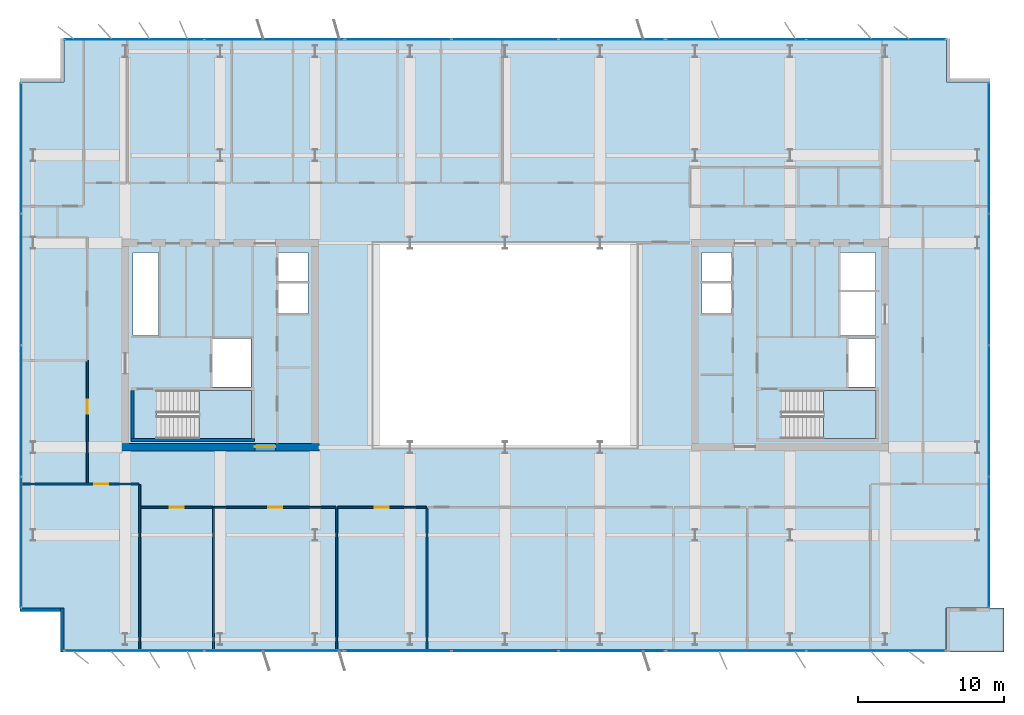
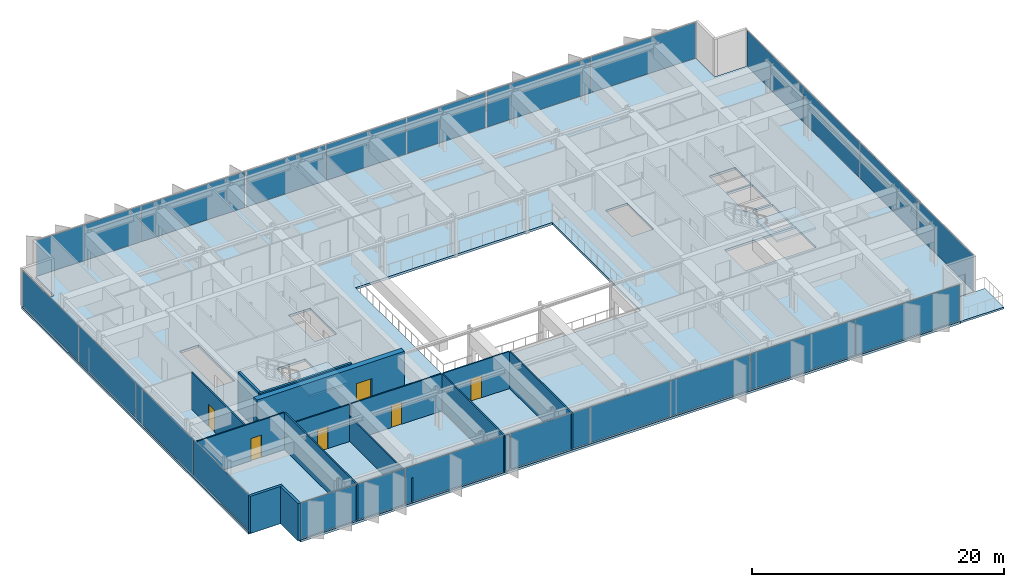
# One storey, part 16 of 24: 22 plates, 14 walls, 6 doors, 4 slabs, 6 openings, 10 elements without a shape of their own.
"""IFC4 building model written with IfcOpenShell, lengths in metres."""

from ifc_helpers import new_model, si_unit, direction, frame, frame_2d, origin, origin_2d, place, context, subcontext, project, spatial, polyline, rectangle, outline, extrude, material, layer, layer_set, type_object, element, fill, aggregate, save


model = new_model("IFC4")

# Units and contexts
model_context = context("Model", 3, precision=1e-05, world=origin(), true_north=direction((0.0, 1.0)))
body_context = subcontext(model_context, "Body", "Model", "MODEL_VIEW")
ifc_project = project(units=[si_unit("LENGTHUNIT", "METRE"), si_unit("AREAUNIT", "SQUARE_METRE"), si_unit("VOLUMEUNIT", "CUBIC_METRE"), si_unit("PLANEANGLEUNIT", "RADIAN"), si_unit("MASSUNIT", "GRAM", prefix="KILO")], contexts=[model_context])

# Site, building, storey
site_placement = place(None, origin())
site = spatial("IfcSite", under=ifc_project, at=site_placement, CompositionType="ELEMENT")
building_placement = place(site_placement, origin())
building = spatial("IfcBuilding", under=site, at=building_placement, Name="Putna Gate Headquarters", CompositionType="ELEMENT")
storey_placement = place(building_placement, frame((0.0, 0.0, 251.800048828125)))
storey = spatial("IfcBuildingStorey", under=building, at=storey_placement, Name="L63", CompositionType="ELEMENT", Elevation=251.800048828125)

# Stair, slab
ifc_material_1 = material(Name="Concrete C40/50", Category="concrete")
stair_type_1 = type_object("IfcStairType", Name="STAIR-ST1", PredefinedType="HALF_TURN_STAIR", material=ifc_material_1)
stair_1_placement = place(storey_placement, origin())
stair_1 = element("IfcStair", 1, at=stair_1_placement, inside=storey, type_object=stair_type_1, Name="L63 West Core Exit Stair ST1", PredefinedType="HALF_TURN_STAIR")
ifc_layer_1 = layer(ifc_material_1, 0.199951171875)
ifc_layer_set_1 = layer_set([ifc_layer_1], Name="Concrete C40/50")
slab_type_1 = type_object("IfcSlabType", Name="LANDING-ST1", PredefinedType="LANDING", material=ifc_layer_set_1)
slab_1_placement = place(storey_placement, frame((0.0, 0.0, 1.699951171875)))
slab_1 = element("IfcSlab", 2, at=slab_1_placement, type_object=slab_type_1, Name="ST1 landing 1", PredefinedType="LANDING", context=body_context, shape_type="SweptSolid", body=[
    extrude(outline(polyline([(18.050048828125, 19.60009765625), (21.64990234375, 19.60009765625), (21.64990234375, 22.89990234375), (18.050048828125, 22.89990234375), (18.050048828125, 19.60009765625)])), origin(), (0.0, 0.0, 1.0), 0.199951171875),
])
aggregate(stair_1, [slab_1])

stair_type_2 = type_object("IfcStairType", Name="STAIR-ST2", PredefinedType="HALF_TURN_STAIR", material=ifc_material_1)
stair_2_placement = place(storey_placement, origin())
stair_2 = element("IfcStair", 3, at=stair_2_placement, inside=storey, type_object=stair_type_2, Name="L63 East Core Exit Stair ST2", PredefinedType="HALF_TURN_STAIR")
ifc_layer_2 = layer(ifc_material_1, 0.199951171875)
ifc_layer_set_2 = layer_set([ifc_layer_2], Name="Concrete C40/50")
slab_type_2 = type_object("IfcSlabType", Name="LANDING-ST2", PredefinedType="LANDING", material=ifc_layer_set_2)
slab_2_placement = place(storey_placement, frame((0.0, 0.0, 1.699951171875)))
slab_2 = element("IfcSlab", 4, at=slab_2_placement, type_object=slab_type_2, Name="ST2 landing 1", PredefinedType="LANDING", context=body_context, shape_type="SweptSolid", body=[
    extrude(outline(polyline([(60.800048828125, 19.60009765625), (64.39990234375, 19.60009765625), (64.39990234375, 22.89990234375), (60.800048828125, 22.89990234375), (60.800048828125, 19.60009765625)])), origin(), (0.0, 0.0, 1.0), 0.199951171875),
])
aggregate(stair_2, [slab_2])

# Curtain wall, plates
ifc_material_2 = material(Name="Anodised bronze aluminium curtain wall", Category="aluminium")
ifc_layer_3 = layer(ifc_material_2, 0.139892578125)
ifc_layer_set_3 = layer_set([ifc_layer_3], Name="Anodised bronze aluminium curtain wall")
curtain_wall_type_1 = type_object("IfcCurtainWallType", Name="CW-SYS-Z4", PredefinedType="USERDEFINED", material=ifc_layer_set_3)
curtain_wall_1_placement = place(storey_placement, origin())
curtain_wall_1 = element("IfcCurtainWall", 5, at=curtain_wall_1_placement, inside=storey, type_object=curtain_wall_type_1, Name="L63 South West Curtain Wall", ObjectType="STICK CURTAIN WALL", PredefinedType="USERDEFINED")
ifc_material_3 = material(Name="Solar-control triple low-E glass", Category="glass")
ifc_layer_4 = layer(ifc_material_3, 0.02587890625)
ifc_layer_set_4 = layer_set([ifc_layer_4], Name="Solar-control triple low-E glass")
plate_type_1 = type_object("IfcPlateType", Name="PAN-CWP-4", PredefinedType="CURTAIN_PANEL", material=ifc_layer_set_4)
plate_1_placement = place(storey_placement, frame((13.614990234375, 5.080078125, 0.06005859375), z_axis=(0.0, 0.0, 1.0), x_axis=(1.0, 0.0, 0.0)))
plate_1 = element("IfcPlate", 6, at=plate_1_placement, type_object=plate_type_1, Name="CWS-4 panel 1.1", PredefinedType="CURTAIN_PANEL", context=body_context, shape_type="SweptSolid", body=[
    extrude(rectangle(XDim=9.510009765625, YDim=0.02587890625, at=origin_2d()), origin(), (0.0, 0.0, 1.0), 3.468017578125),
])
plate_2_placement = place(storey_placement, frame((23.18505859375, 5.080078125, 0.06005859375), z_axis=(0.0, 0.0, 1.0), x_axis=(1.0, 0.0, 0.0)))
plate_2 = element("IfcPlate", 7, at=plate_2_placement, type_object=plate_type_1, Name="CWS-4 panel 2.1", PredefinedType="CURTAIN_PANEL", context=body_context, shape_type="SweptSolid", body=[
    extrude(rectangle(XDim=9.510009765625, YDim=0.02587890625, at=origin_2d()), origin(), (0.0, 0.0, 1.0), 3.468017578125),
])
aggregate(curtain_wall_1, [plate_1, plate_2])

curtain_wall_2_placement = place(storey_placement, origin())
curtain_wall_2 = element("IfcCurtainWall", 8, at=curtain_wall_2_placement, inside=storey, type_object=curtain_wall_type_1, Name="L63 South East Curtain Wall", ObjectType="STICK CURTAIN WALL", PredefinedType="USERDEFINED")
plate_3_placement = place(storey_placement, frame((54.81494140625, 5.080078125, 0.06005859375), z_axis=(0.0, 0.0, 1.0), x_axis=(1.0, 0.0, 0.0)))
plate_3 = element("IfcPlate", 9, at=plate_3_placement, type_object=plate_type_1, Name="CWS-4 panel 1.1", PredefinedType="CURTAIN_PANEL", context=body_context, shape_type="SweptSolid", body=[
    extrude(rectangle(XDim=9.510009765625, YDim=0.02587890625, at=origin_2d()), origin(), (0.0, 0.0, 1.0), 3.468017578125),
])
plate_4_placement = place(storey_placement, frame((64.385009765625, 5.080078125, 0.06005859375), z_axis=(0.0, 0.0, 1.0), x_axis=(1.0, 0.0, 0.0)))
plate_4 = element("IfcPlate", 10, at=plate_4_placement, type_object=plate_type_1, Name="CWS-4 panel 2.1", PredefinedType="CURTAIN_PANEL", context=body_context, shape_type="SweptSolid", body=[
    extrude(rectangle(XDim=9.510009765625, YDim=0.02587890625, at=origin_2d()), origin(), (0.0, 0.0, 1.0), 3.468017578125),
])
aggregate(curtain_wall_2, [plate_3, plate_4])

curtain_wall_3_placement = place(storey_placement, origin())
curtain_wall_3 = element("IfcCurtainWall", 11, at=curtain_wall_3_placement, inside=storey, type_object=curtain_wall_type_1, Name="L63 North West Curtain Wall", ObjectType="STICK CURTAIN WALL", PredefinedType="USERDEFINED")
plate_5_placement = place(storey_placement, frame((13.614990234375, 46.919921875, 0.06005859375), z_axis=(0.0, 0.0, 1.0), x_axis=(1.0, 0.0, 0.0)))
plate_5 = element("IfcPlate", 12, at=plate_5_placement, type_object=plate_type_1, Name="CWS-4 panel 1.1", PredefinedType="CURTAIN_PANEL", context=body_context, shape_type="SweptSolid", body=[
    extrude(rectangle(XDim=9.510009765625, YDim=0.02587890625, at=origin_2d()), origin(), (0.0, 0.0, 1.0), 3.468017578125),
])
plate_6_placement = place(storey_placement, frame((23.18505859375, 46.919921875, 0.06005859375), z_axis=(0.0, 0.0, 1.0), x_axis=(1.0, 0.0, 0.0)))
plate_6 = element("IfcPlate", 13, at=plate_6_placement, type_object=plate_type_1, Name="CWS-4 panel 2.1", PredefinedType="CURTAIN_PANEL", context=body_context, shape_type="SweptSolid", body=[
    extrude(rectangle(XDim=9.510009765625, YDim=0.02587890625, at=origin_2d()), origin(), (0.0, 0.0, 1.0), 3.468017578125),
])
aggregate(curtain_wall_3, [plate_5, plate_6])

curtain_wall_4_placement = place(storey_placement, origin())
curtain_wall_4 = element("IfcCurtainWall", 14, at=curtain_wall_4_placement, inside=storey, type_object=curtain_wall_type_1, Name="L63 North East Curtain Wall", ObjectType="STICK CURTAIN WALL", PredefinedType="USERDEFINED")
plate_7_placement = place(storey_placement, frame((54.81494140625, 46.919921875, 0.06005859375), z_axis=(0.0, 0.0, 1.0), x_axis=(1.0, 0.0, 0.0)))
plate_7 = element("IfcPlate", 15, at=plate_7_placement, type_object=plate_type_1, Name="CWS-4 panel 1.1", PredefinedType="CURTAIN_PANEL", context=body_context, shape_type="SweptSolid", body=[
    extrude(rectangle(XDim=9.510009765625, YDim=0.02587890625, at=origin_2d()), origin(), (0.0, 0.0, 1.0), 3.468017578125),
])
plate_8_placement = place(storey_placement, frame((64.385009765625, 46.919921875, 0.06005859375), z_axis=(0.0, 0.0, 1.0), x_axis=(1.0, 0.0, 0.0)))
plate_8 = element("IfcPlate", 16, at=plate_8_placement, type_object=plate_type_1, Name="CWS-4 panel 2.1", PredefinedType="CURTAIN_PANEL", context=body_context, shape_type="SweptSolid", body=[
    extrude(rectangle(XDim=9.510009765625, YDim=0.02587890625, at=origin_2d()), origin(), (0.0, 0.0, 1.0), 3.468017578125),
])
aggregate(curtain_wall_4, [plate_7, plate_8])

curtain_wall_5_placement = place(storey_placement, origin())
curtain_wall_5 = element("IfcCurtainWall", 17, at=curtain_wall_5_placement, inside=storey, type_object=curtain_wall_type_1, Name="L63 West Curtain Wall", ObjectType="STICK CURTAIN WALL", PredefinedType="USERDEFINED")
plate_9_placement = place(storey_placement, frame((5.8798828125, 12.514892578125, 0.06005859375), z_axis=(0.0, 0.0, 1.0), x_axis=(0.0, 1.0, 0.0)))
plate_9 = element("IfcPlate", 18, at=plate_9_placement, type_object=plate_type_1, Name="CWS-4 panel 1.1", PredefinedType="CURTAIN_PANEL", context=body_context, shape_type="SweptSolid", body=[
    extrude(rectangle(XDim=8.909912109375, YDim=0.02587890625, at=origin_2d()), origin(), (0.0, 0.0, 1.0), 3.468017578125),
])
plate_10_placement = place(storey_placement, frame((5.8798828125, 21.5, 0.06005859375), z_axis=(0.0, 0.0, 1.0), x_axis=(0.0, 1.0, 0.0)))
plate_10 = element("IfcPlate", 19, at=plate_10_placement, type_object=plate_type_1, Name="CWS-4 panel 2.1", PredefinedType="CURTAIN_PANEL", context=body_context, shape_type="SweptSolid", body=[
    extrude(rectangle(XDim=8.93994140625, YDim=0.02587890625, at=origin_2d()), origin(), (0.0, 0.0, 1.0), 3.468017578125),
])
plate_11_placement = place(storey_placement, frame((5.8798828125, 30.5, 0.06005859375), z_axis=(0.0, 0.0, 1.0), x_axis=(0.0, 1.0, 0.0)))
plate_11 = element("IfcPlate", 20, at=plate_11_placement, type_object=plate_type_1, Name="CWS-4 panel 3.1", PredefinedType="CURTAIN_PANEL", context=body_context, shape_type="SweptSolid", body=[
    extrude(rectangle(XDim=8.93994140625, YDim=0.02587890625, at=origin_2d()), origin(), (0.0, 0.0, 1.0), 3.468017578125),
])
plate_12_placement = place(storey_placement, frame((5.8798828125, 39.485107421875, 0.06005859375), z_axis=(0.0, 0.0, 1.0), x_axis=(0.0, 1.0, 0.0)))
plate_12 = element("IfcPlate", 21, at=plate_12_placement, type_object=plate_type_1, Name="CWS-4 panel 4.1", PredefinedType="CURTAIN_PANEL", context=body_context, shape_type="SweptSolid", body=[
    extrude(rectangle(XDim=8.909912109375, YDim=0.02587890625, at=origin_2d()), origin(), (0.0, 0.0, 1.0), 3.468017578125),
])
aggregate(curtain_wall_5, [plate_9, plate_10, plate_11, plate_12])

curtain_wall_6_placement = place(storey_placement, origin())
curtain_wall_6 = element("IfcCurtainWall", 22, at=curtain_wall_6_placement, inside=storey, type_object=curtain_wall_type_1, Name="L63 East Curtain Wall", ObjectType="STICK CURTAIN WALL", PredefinedType="USERDEFINED")
plate_13_placement = place(storey_placement, frame((72.1201171875, 12.514892578125, 0.06005859375), z_axis=(0.0, 0.0, 1.0), x_axis=(0.0, 1.0, 0.0)))
plate_13 = element("IfcPlate", 23, at=plate_13_placement, type_object=plate_type_1, Name="CWS-4 panel 1.1", PredefinedType="CURTAIN_PANEL", context=body_context, shape_type="SweptSolid", body=[
    extrude(rectangle(XDim=8.909912109375, YDim=0.02587890625, at=origin_2d()), origin(), (0.0, 0.0, 1.0), 3.468017578125),
])
plate_14_placement = place(storey_placement, frame((72.1201171875, 21.5, 0.06005859375), z_axis=(0.0, 0.0, 1.0), x_axis=(0.0, 1.0, 0.0)))
plate_14 = element("IfcPlate", 24, at=plate_14_placement, type_object=plate_type_1, Name="CWS-4 panel 2.1", PredefinedType="CURTAIN_PANEL", context=body_context, shape_type="SweptSolid", body=[
    extrude(rectangle(XDim=8.93994140625, YDim=0.02587890625, at=origin_2d()), origin(), (0.0, 0.0, 1.0), 3.468017578125),
])
plate_15_placement = place(storey_placement, frame((72.1201171875, 30.5, 0.06005859375), z_axis=(0.0, 0.0, 1.0), x_axis=(0.0, 1.0, 0.0)))
plate_15 = element("IfcPlate", 25, at=plate_15_placement, type_object=plate_type_1, Name="CWS-4 panel 3.1", PredefinedType="CURTAIN_PANEL", context=body_context, shape_type="SweptSolid", body=[
    extrude(rectangle(XDim=8.93994140625, YDim=0.02587890625, at=origin_2d()), origin(), (0.0, 0.0, 1.0), 3.468017578125),
])
plate_16_placement = place(storey_placement, frame((72.1201171875, 39.485107421875, 0.06005859375), z_axis=(0.0, 0.0, 1.0), x_axis=(0.0, 1.0, 0.0)))
plate_16 = element("IfcPlate", 26, at=plate_16_placement, type_object=plate_type_1, Name="CWS-4 panel 4.1", PredefinedType="CURTAIN_PANEL", context=body_context, shape_type="SweptSolid", body=[
    extrude(rectangle(XDim=8.909912109375, YDim=0.02587890625, at=origin_2d()), origin(), (0.0, 0.0, 1.0), 3.468017578125),
])
aggregate(curtain_wall_6, [plate_13, plate_14, plate_15, plate_16])

ifc_layer_5 = layer(ifc_material_2, 0.179931640625)
ifc_layer_set_5 = layer_set([ifc_layer_5], Name="Anodised bronze aluminium curtain wall")
curtain_wall_type_2 = type_object("IfcCurtainWallType", Name="CW-SYS-ATR", PredefinedType="USERDEFINED", material=ifc_layer_set_5)
curtain_wall_7_placement = place(storey_placement, origin())
curtain_wall_7 = element("IfcCurtainWall", 27, at=curtain_wall_7_placement, inside=storey, type_object=curtain_wall_type_2, Name="L63 South Atrium Clear Glazing", ObjectType="ATRIUM GLAZING", PredefinedType="USERDEFINED")
ifc_material_4 = material(Name="Clear low-iron triple glazing", Category="glass")
ifc_layer_6 = layer(ifc_material_4, 0.0400390625)
ifc_layer_set_6 = layer_set([ifc_layer_6], Name="Clear low-iron triple glazing")
plate_type_2 = type_object("IfcPlateType", Name="PAN-CWP-AT", PredefinedType="CURTAIN_PANEL", material=ifc_layer_set_6)
plate_17_placement = place(storey_placement, frame((31.68408203125, 5.080078125, 0.06982421875), z_axis=(0.0, 0.0, 1.0), x_axis=(1.0, 0.0, 0.0)))
plate_17 = element("IfcPlate", 28, at=plate_17_placement, type_object=plate_type_2, Name="CWS-AT panel 1.1", PredefinedType="CURTAIN_PANEL", context=body_context, shape_type="SweptSolid", body=[
    extrude(rectangle(XDim=7.228271484375, YDim=0.0400390625, at=origin_2d()), origin(), (0.0, 0.0, 1.0), 3.447998046875),
])
plate_18_placement = place(storey_placement, frame((39.0, 5.080078125, 0.06982421875), z_axis=(0.0, 0.0, 1.0), x_axis=(1.0, 0.0, 0.0)))
plate_18 = element("IfcPlate", 29, at=plate_18_placement, type_object=plate_type_2, Name="CWS-AT panel 2.1", PredefinedType="CURTAIN_PANEL", context=body_context, shape_type="SweptSolid", body=[
    extrude(rectangle(XDim=7.263427734375, YDim=0.0400390625, at=origin_2d()), origin(), (0.0, 0.0, 1.0), 3.447998046875),
])
plate_19_placement = place(storey_placement, frame((46.31591796875, 5.080078125, 0.06982421875), z_axis=(0.0, 0.0, 1.0), x_axis=(1.0, 0.0, 0.0)))
plate_19 = element("IfcPlate", 30, at=plate_19_placement, type_object=plate_type_2, Name="CWS-AT panel 3.1", PredefinedType="CURTAIN_PANEL", context=body_context, shape_type="SweptSolid", body=[
    extrude(rectangle(XDim=7.228271484375, YDim=0.0400390625, at=origin_2d()), origin(), (0.0, 0.0, 1.0), 3.447998046875),
])
aggregate(curtain_wall_7, [plate_17, plate_18, plate_19])

curtain_wall_8_placement = place(storey_placement, origin())
curtain_wall_8 = element("IfcCurtainWall", 31, at=curtain_wall_8_placement, inside=storey, type_object=curtain_wall_type_2, Name="L63 North Atrium Clear Glazing", ObjectType="ATRIUM GLAZING", PredefinedType="USERDEFINED")
plate_20_placement = place(storey_placement, frame((31.68408203125, 46.919921875, 0.06982421875), z_axis=(0.0, 0.0, 1.0), x_axis=(1.0, 0.0, 0.0)))
plate_20 = element("IfcPlate", 32, at=plate_20_placement, type_object=plate_type_2, Name="CWS-AT panel 1.1", PredefinedType="CURTAIN_PANEL", context=body_context, shape_type="SweptSolid", body=[
    extrude(rectangle(XDim=7.228271484375, YDim=0.0400390625, at=origin_2d()), origin(), (0.0, 0.0, 1.0), 3.447998046875),
])
plate_21_placement = place(storey_placement, frame((39.0, 46.919921875, 0.06982421875), z_axis=(0.0, 0.0, 1.0), x_axis=(1.0, 0.0, 0.0)))
plate_21 = element("IfcPlate", 33, at=plate_21_placement, type_object=plate_type_2, Name="CWS-AT panel 2.1", PredefinedType="CURTAIN_PANEL", context=body_context, shape_type="SweptSolid", body=[
    extrude(rectangle(XDim=7.263427734375, YDim=0.0400390625, at=origin_2d()), origin(), (0.0, 0.0, 1.0), 3.447998046875),
])
plate_22_placement = place(storey_placement, frame((46.31591796875, 46.919921875, 0.06982421875), z_axis=(0.0, 0.0, 1.0), x_axis=(1.0, 0.0, 0.0)))
plate_22 = element("IfcPlate", 34, at=plate_22_placement, type_object=plate_type_2, Name="CWS-AT panel 3.1", PredefinedType="CURTAIN_PANEL", context=body_context, shape_type="SweptSolid", body=[
    extrude(rectangle(XDim=7.228271484375, YDim=0.0400390625, at=origin_2d()), origin(), (0.0, 0.0, 1.0), 3.447998046875),
])
aggregate(curtain_wall_8, [plate_20, plate_21, plate_22])

# Slabs
ifc_layer_7 = layer(ifc_material_1, 0.179931640625)
ifc_layer_set_7 = layer_set([ifc_layer_7], Name="Concrete C40/50")
slab_type_3 = type_object("IfcSlabType", Name="SLAB-TERRACE-180", PredefinedType="FLOOR", material=ifc_layer_set_7)
slab_3_placement = place(storey_placement, frame((0.0, 0.0, -0.179931640625)))
element("IfcSlab", 35, at=slab_3_placement, inside=storey, type_object=slab_type_3, Name="L63 Spiral Sky-Garden Terrace Slab (SE)", PredefinedType="FLOOR", context=body_context, shape_type="SweptSolid", body=[
    extrude(outline(polyline([(69.19189453125, 5.0), (73.14990234375, 5.0), (73.14990234375, 8.008056640625), (69.19189453125, 8.008056640625), (69.19189453125, 5.0)])), origin(), (0.0, 0.0, 1.0), 0.179931640625),
])
ifc_layer_8 = layer(ifc_material_1, 0.219970703125)
ifc_layer_set_8 = layer_set([ifc_layer_8], Name="Concrete C40/50")
slab_type_4 = type_object("IfcSlabType", Name="SLAB-Z4-220", PredefinedType="FLOOR", material=ifc_layer_set_8)
slab_4_placement = place(storey_placement, frame((0.0, 0.0, -0.219970703125)))
element("IfcSlab", 36, at=slab_4_placement, inside=storey, type_object=slab_type_4, Name="L63 Composite Floor Slab", PredefinedType="FLOOR", context=body_context, shape_type="SweptSolid", body=[
    extrude(outline(polyline([(8.800048828125, 5.0), (69.199951171875, 5.0), (69.199951171875, 8.0), (72.199951171875, 8.0), (72.199951171875, 44.0), (69.199951171875, 44.0), (69.199951171875, 47.0), (8.800048828125, 47.0), (8.800048828125, 44.0), (5.800048828125, 44.0), (5.800048828125, 8.0), (8.800048828125, 8.0), (8.800048828125, 5.0)]), holes=[polyline([(15.1650390625, 19.60009765625), (21.64990234375, 19.60009765625), (21.64990234375, 22.89990234375), (15.1650390625, 22.89990234375), (15.1650390625, 19.60009765625)]), polyline([(57.9150390625, 19.60009765625), (64.39990234375, 19.60009765625), (64.39990234375, 22.89990234375), (57.9150390625, 22.89990234375), (57.9150390625, 19.60009765625)]), polyline([(13.52001953125, 26.659912109375), (15.280029296875, 26.659912109375), (15.280029296875, 32.35009765625), (13.52001953125, 32.35009765625), (13.52001953125, 26.659912109375)]), polyline([(61.969970703125, 29.780029296875), (64.35009765625, 29.780029296875), (64.35009765625, 32.35009765625), (61.969970703125, 32.35009765625), (61.969970703125, 29.780029296875)]), polyline([(18.97998046875, 23.1201171875), (21.6201171875, 23.1201171875), (21.6201171875, 26.4599609375), (18.97998046875, 26.4599609375), (18.97998046875, 23.1201171875)]), polyline([(62.52001953125, 23.1201171875), (64.35009765625, 23.1201171875), (64.35009765625, 26.4599609375), (62.52001953125, 26.4599609375), (62.52001953125, 23.1201171875)]), polyline([(61.969970703125, 26.659912109375), (64.35009765625, 26.659912109375), (64.35009765625, 29.6201171875), (61.969970703125, 29.6201171875), (61.969970703125, 26.659912109375)]), polyline([(23.5, 28.199951171875), (25.5, 28.199951171875), (25.5, 32.35009765625), (23.5, 32.35009765625), (23.5, 28.199951171875)]), polyline([(52.47998046875, 28.199951171875), (54.5, 28.199951171875), (54.5, 32.35009765625), (52.47998046875, 32.35009765625), (52.47998046875, 28.199951171875)]), polyline([(30.0, 19.0), (48.0, 19.0), (48.0, 33.0), (30.0, 33.0), (30.0, 19.0)])]), origin(), (0.0, 0.0, 1.0), 0.219970703125),
])

# Wall, opening, door
ifc_material_5 = material(Name="Concrete C50/60", Category="concrete")
ifc_layer_9 = layer(ifc_material_5, 0.5)
ifc_layer_set_9 = layer_set([ifc_layer_9], Name="Concrete C50/60")
wall_type_1 = type_object("IfcWallType", Name="WALL-CORE-500", PredefinedType="SHEAR", material=ifc_layer_set_9)
wall_1_placement = place(storey_placement, frame((12.75, 19.0, 0.0), z_axis=(0.0, 0.0, 1.0), x_axis=(1.0, 0.0, 0.0)))
wall_1 = element("IfcWall", 37, at=wall_1_placement, inside=storey, type_object=wall_type_1, Name="L63 WC Split Core Shear Wall S", PredefinedType="SHEAR", context=body_context, shape_type="SweptSolid", body=[
    extrude(rectangle(XDim=13.5, YDim=0.5, at=frame_2d((6.75, 0.0))), origin(), (0.0, 0.0, 1.0), 3.800048828125),
])
opening_1_placement = place(wall_1_placement, frame((9.1298828125, 0.0, 0.0)))
opening_1 = element("IfcOpeningElement", 38, at=opening_1_placement, cuts=wall_1, Name="Opening FDD-140", PredefinedType="OPENING", context=body_context, shape_type="SweptSolid", body=[
    extrude(rectangle(XDim=1.39990234375, YDim=2.199951171875, at=frame_2d((0.699951171875, 1.10009765625))), frame((0.0, 0.260009765625, 0.0), z_axis=(0.0, -1.0, 0.0), x_axis=(1.0, 0.0, 0.0)), (0.0, 0.0, 1.0), 0.52001953125),
])
ifc_material_6 = material(Name="Double steel fire door", Category="steel")
door_type_1 = type_object("IfcDoorType", Name="DOOR-FIRE-DBL-1400", OperationType="DOUBLE_DOOR_SINGLE_SWING", PredefinedType="DOOR", material=ifc_material_6)
door_1_placement = place(opening_1_placement, origin())
door_1 = element("IfcDoor", 39, at=door_1_placement, inside=storey, type_object=door_type_1, Name="L63 West Lift Lobby South Door", OperationType="DOUBLE_DOOR_SINGLE_SWING", OverallHeight=2.199951171875, OverallWidth=1.39990234375, PredefinedType="DOOR", context=body_context, shape_type="SweptSolid", body=[
    extrude(rectangle(XDim=1.39990234375, YDim=2.199951171875, at=frame_2d((0.699951171875, 1.10009765625))), frame((0.0, 0.0751953125, 0.0), z_axis=(0.0, -1.0, 0.0), x_axis=(1.0, 0.0, 0.0)), (0.0, 0.0, 1.0), 0.050048828125),
])
fill(opening_1, door_1)

# Walls
ifc_material_7 = material(Name="Precast concrete C40/50", Category="concrete")
ifc_layer_10 = layer(ifc_material_7, 0.239990234375)
ifc_layer_set_10 = layer_set([ifc_layer_10], Name="Precast concrete C40/50")
wall_type_2 = type_object("IfcWallType", Name="WALL-EXT-TERR-240", PredefinedType="STANDARD", material=ifc_layer_set_10)
for number, where, z_axis, x_axis, name in (
    (40, (8.679931640625, 5.0, 0.0), (0.0, 0.0, 1.0), (0.0, 1.0, 0.0), "L63 Corner Notch Return Wall SW-V"),
    (41, (8.800048828125, 7.8798828125, 0.0), (0.0, 0.0, 1.0), (-1.0, 0.0, 0.0), "L63 Corner Notch Return Wall SW-H"),
):
    element("IfcWall", number, at=place(storey_placement, frame(where, z_axis=z_axis, x_axis=x_axis)), inside=storey, type_object=wall_type_2, Name=name, PredefinedType="STANDARD", context=body_context, shape_type="SweptSolid", body=[
        extrude(rectangle(XDim=3.0, YDim=0.239990234375, at=frame_2d((1.5, 0.0))), origin(), (0.0, 0.0, 1.0), 3.587890625),
    ])
ifc_material_8 = material(Name="Acoustic gypsum board on metal stud")
ifc_layer_11 = layer(ifc_material_8, 0.1201171875)
ifc_layer_set_11 = layer_set([ifc_layer_11], Name="Acoustic gypsum board on metal stud")
wall_type_3 = type_object("IfcWallType", Name="WALL-PART-120", PredefinedType="PARTITIONING", material=ifc_layer_set_11)
wall_2_placement = place(storey_placement, frame((13.997314453125, 5.02001953125, 0.0), z_axis=(0.0, 0.0, 1.0), x_axis=(0.0, 1.0, 0.0)))
element("IfcWall", 42, at=wall_2_placement, inside=storey, type_object=wall_type_3, Name="L63 Interior Wall PART-L63-SB-DIV-01", PredefinedType="PARTITIONING", context=body_context, shape_type="SweptSolid", body=[
    extrude(rectangle(XDim=11.419921875, YDim=0.1201171875, at=frame_2d((5.7099609375, 0.0))), origin(), (0.0, 0.0, 1.0), 3.587890625),
])
wall_3_placement = place(storey_placement, frame((19.042724609375, 5.02001953125, 0.0), z_axis=(0.0, 0.0, 1.0), x_axis=(0.0, 1.0, 0.0)))
element("IfcWall", 43, at=wall_3_placement, inside=storey, type_object=wall_type_3, Name="L63 Interior Wall PART-L63-SB-DIV-02", PredefinedType="PARTITIONING", context=body_context, shape_type="SweptSolid", body=[
    extrude(rectangle(XDim=9.820068359375, YDim=0.1201171875, at=frame_2d((4.91015625, 0.0))), origin(), (0.0, 0.0, 1.0), 2.387939453125),
])
for number, where, z_axis, x_axis, name in (
    (44, (27.47607421875, 5.02001953125, 0.0), (0.0, 0.0, 1.0), (0.0, 1.0, 0.0), "L63 Interior Wall PART-L63-SB-DIV-03"),
    (45, (33.657470703125, 5.02001953125, 0.0), (0.0, 0.0, 1.0), (0.0, 1.0, 0.0), "L63 Interior Wall PART-L63-SB-DIV-04"),
):
    element("IfcWall", number, at=place(storey_placement, frame(where, z_axis=z_axis, x_axis=x_axis)), inside=storey, type_object=wall_type_3, Name=name, PredefinedType="PARTITIONING", context=body_context, shape_type="SweptSolid", body=[
        extrude(rectangle(XDim=9.820068359375, YDim=0.1201171875, at=frame_2d((4.91015625, 0.0))), origin(), (0.0, 0.0, 1.0), 3.587890625),
    ])

# Wall, opening, door
ifc_material_9 = material(Name="Fire-rated gypsum board on metal stud")
ifc_layer_12 = layer(ifc_material_9, 0.1201171875)
ifc_layer_set_12 = layer_set([ifc_layer_12], Name="Fire-rated gypsum board on metal stud")
wall_type_4 = type_object("IfcWallType", Name="WALL-PART-120-RATED", PredefinedType="PARTITIONING", material=ifc_layer_set_12)
wall_4_placement = place(storey_placement, frame((5.97998046875, 16.5, 0.0), z_axis=(0.0, 0.0, 1.0), x_axis=(1.0, 0.0, 0.0)))
wall_4 = element("IfcWall", 46, at=wall_4_placement, inside=storey, type_object=wall_type_4, Name="L63 Interior Wall PART-L63-SB-CW-01", PredefinedType="PARTITIONING", context=body_context, shape_type="SweptSolid", body=[
    extrude(rectangle(XDim=7.957275390625, YDim=0.1201171875, at=frame_2d((3.978515625, 0.0))), origin(), (0.0, 0.0, 1.0), 3.587890625),
])
opening_2_placement = place(wall_4_placement, frame((4.89990234375, 0.0, 0.0)))
opening_2 = element("IfcOpeningElement", 47, at=opening_2_placement, cuts=wall_4, Name="Opening FD-95", PredefinedType="OPENING", context=body_context, shape_type="SweptSolid", body=[
    extrude(rectangle(XDim=0.949951171875, YDim=2.14990234375, at=frame_2d((0.47509765625, 1.074951171875))), frame((0.0, 0.070068359375, 0.0), z_axis=(0.0, -1.0, 0.0), x_axis=(1.0, 0.0, 0.0)), (0.0, 0.0, 1.0), 0.14013671875),
])
ifc_material_10 = material(Name="Acoustic timber fire door", Category="wood")
door_type_2 = type_object("IfcDoorType", Name="DOOR-FIRE-950", OperationType="NOTDEFINED", PredefinedType="DOOR", material=ifc_material_10)
door_2_placement = place(opening_2_placement, origin())
door_2 = element("IfcDoor", 48, at=door_2_placement, inside=storey, type_object=door_type_2, Name="L63 Cellular Office 3 Door", OperationType="SINGLE_SWING_LEFT", OverallHeight=2.14990234375, OverallWidth=0.949951171875, PredefinedType="DOOR", context=body_context, shape_type="SweptSolid", body=[
    extrude(rectangle(XDim=0.949951171875, YDim=2.14990234375, at=frame_2d((0.47509765625, 1.074951171875))), frame((0.0, 0.02490234375, 0.0), z_axis=(0.0, -1.0, 0.0), x_axis=(1.0, 0.0, 0.0)), (0.0, 0.0, 1.0), 0.050048828125),
])
fill(opening_2, door_2)

wall_5_placement = place(storey_placement, frame((14.057373046875, 14.89990234375, 0.0), z_axis=(0.0, 0.0, 1.0), x_axis=(1.0, 0.0, 0.0)))
wall_5 = element("IfcWall", 49, at=wall_5_placement, inside=storey, type_object=wall_type_4, Name="L63 Interior Wall PART-L63-SB-CW-02", PredefinedType="PARTITIONING", context=body_context, shape_type="SweptSolid", body=[
    extrude(rectangle(XDim=4.92529296875, YDim=0.1201171875, at=frame_2d((2.462646484375, 0.0))), origin(), (0.0, 0.0, 1.0), 3.587890625),
])
opening_3_placement = place(wall_5_placement, frame((1.98779296875, 0.0, 0.0)))
opening_3 = element("IfcOpeningElement", 50, at=opening_3_placement, cuts=wall_5, Name="Opening FD-95", PredefinedType="OPENING", context=body_context, shape_type="SweptSolid", body=[
    extrude(rectangle(XDim=0.949951171875, YDim=2.14990234375, at=frame_2d((0.47509765625, 1.074951171875))), frame((0.0, 0.070068359375, 0.0), z_axis=(0.0, -1.0, 0.0), x_axis=(1.0, 0.0, 0.0)), (0.0, 0.0, 1.0), 0.14013671875),
])
door_3_placement = place(opening_3_placement, origin())
door_3 = element("IfcDoor", 51, at=door_3_placement, inside=storey, type_object=door_type_2, Name="L63 Conference Meeting Room 5 Door", OperationType="SINGLE_SWING_RIGHT", OverallHeight=2.14990234375, OverallWidth=0.949951171875, PredefinedType="DOOR", context=body_context, shape_type="SweptSolid", body=[
    extrude(rectangle(XDim=0.949951171875, YDim=2.14990234375, at=frame_2d((0.47509765625, 1.074951171875))), frame((0.0, 0.02490234375, 0.0), z_axis=(0.0, -1.0, 0.0), x_axis=(1.0, 0.0, 0.0)), (0.0, 0.0, 1.0), 0.050048828125),
])
fill(opening_3, door_3)

wall_6_placement = place(storey_placement, frame((19.102783203125, 14.89990234375, 0.0), z_axis=(0.0, 0.0, 1.0), x_axis=(1.0, 0.0, 0.0)))
wall_6 = element("IfcWall", 52, at=wall_6_placement, inside=storey, type_object=wall_type_4, Name="L63 Interior Wall PART-L63-SB-CW-03", PredefinedType="PARTITIONING", context=body_context, shape_type="SweptSolid", body=[
    extrude(rectangle(XDim=8.313232421875, YDim=0.1201171875, at=frame_2d((4.15673828125, 0.0))), origin(), (0.0, 0.0, 1.0), 3.587890625),
])
opening_4_placement = place(wall_6_placement, frame((3.681640625, 0.0, 0.0)))
opening_4 = element("IfcOpeningElement", 53, at=opening_4_placement, cuts=wall_6, Name="Opening FD-95", PredefinedType="OPENING", context=body_context, shape_type="SweptSolid", body=[
    extrude(rectangle(XDim=0.949951171875, YDim=2.14990234375, at=frame_2d((0.47509765625, 1.074951171875))), frame((0.0, 0.070068359375, 0.0), z_axis=(0.0, -1.0, 0.0), x_axis=(1.0, 0.0, 0.0)), (0.0, 0.0, 1.0), 0.14013671875),
])
door_4_placement = place(opening_4_placement, origin())
door_4 = element("IfcDoor", 54, at=door_4_placement, inside=storey, type_object=door_type_2, Name="L63 Conference Meeting Room 6 Door", OperationType="SINGLE_SWING_LEFT", OverallHeight=2.14990234375, OverallWidth=0.949951171875, PredefinedType="DOOR", context=body_context, shape_type="SweptSolid", body=[
    extrude(rectangle(XDim=0.949951171875, YDim=2.14990234375, at=frame_2d((0.47509765625, 1.074951171875))), frame((0.0, 0.02490234375, 0.0), z_axis=(0.0, -1.0, 0.0), x_axis=(1.0, 0.0, 0.0)), (0.0, 0.0, 1.0), 0.050048828125),
])
fill(opening_4, door_4)

wall_7_placement = place(storey_placement, frame((27.535888671875, 14.89990234375, 0.0), z_axis=(0.0, 0.0, 1.0), x_axis=(1.0, 0.0, 0.0)))
wall_7 = element("IfcWall", 55, at=wall_7_placement, inside=storey, type_object=wall_type_4, Name="L63 Interior Wall PART-L63-SB-CW-04", PredefinedType="PARTITIONING", context=body_context, shape_type="SweptSolid", body=[
    extrude(rectangle(XDim=6.0615234375, YDim=0.1201171875, at=frame_2d((3.03076171875, 0.0))), origin(), (0.0, 0.0, 1.0), 3.587890625),
])
opening_5_placement = place(wall_7_placement, frame((2.5556640625, 0.0, 0.0)))
opening_5 = element("IfcOpeningElement", 56, at=opening_5_placement, cuts=wall_7, Name="Opening FD-95", PredefinedType="OPENING", context=body_context, shape_type="SweptSolid", body=[
    extrude(rectangle(XDim=0.949951171875, YDim=2.14990234375, at=frame_2d((0.47509765625, 1.074951171875))), frame((0.0, 0.070068359375, 0.0), z_axis=(0.0, -1.0, 0.0), x_axis=(1.0, 0.0, 0.0)), (0.0, 0.0, 1.0), 0.14013671875),
])
door_5_placement = place(opening_5_placement, origin())
door_5 = element("IfcDoor", 57, at=door_5_placement, inside=storey, type_object=door_type_2, Name="L63 Conference Meeting Room 7 Door", OperationType="SINGLE_SWING_RIGHT", OverallHeight=2.14990234375, OverallWidth=0.949951171875, PredefinedType="DOOR", context=body_context, shape_type="SweptSolid", body=[
    extrude(rectangle(XDim=0.949951171875, YDim=2.14990234375, at=frame_2d((0.47509765625, 1.074951171875))), frame((0.0, 0.02490234375, 0.0), z_axis=(0.0, -1.0, 0.0), x_axis=(1.0, 0.0, 0.0)), (0.0, 0.0, 1.0), 0.050048828125),
])
fill(opening_5, door_5)

wall_8_placement = place(storey_placement, frame((10.39990234375, 16.5, 0.0), z_axis=(0.0, 0.0, 1.0), x_axis=(0.0, 1.0, 0.0)))
wall_8 = element("IfcWall", 58, at=wall_8_placement, inside=storey, type_object=wall_type_4, Name="L63 Interior Wall PART-L63-WW-CW-1", PredefinedType="PARTITIONING", context=body_context, shape_type="SweptSolid", body=[
    extrude(rectangle(XDim=8.449951171875, YDim=0.1201171875, at=frame_2d((4.22509765625, 0.0))), origin(), (0.0, 0.0, 1.0), 3.587890625),
])
opening_6_placement = place(wall_8_placement, frame((4.800048828125, 0.0, 0.0)))
opening_6 = element("IfcOpeningElement", 59, at=opening_6_placement, cuts=wall_8, Name="Opening FD-95", PredefinedType="OPENING", context=body_context, shape_type="SweptSolid", body=[
    extrude(rectangle(XDim=0.949951171875, YDim=2.14990234375, at=frame_2d((0.47509765625, 1.074951171875))), frame((0.0, 0.070068359375, 0.0), z_axis=(0.0, -1.0, 0.0), x_axis=(1.0, 0.0, 0.0)), (0.0, 0.0, 1.0), 0.14013671875),
])
door_6_placement = place(opening_6_placement, origin())
door_6 = element("IfcDoor", 60, at=door_6_placement, inside=storey, type_object=door_type_2, Name="L63 West Project Meeting Room 1 Door", OperationType="SINGLE_SWING_RIGHT", OverallHeight=2.14990234375, OverallWidth=0.949951171875, PredefinedType="DOOR", context=body_context, shape_type="SweptSolid", body=[
    extrude(rectangle(XDim=0.949951171875, YDim=2.14990234375, at=frame_2d((0.47509765625, 1.074951171875))), frame((0.0, 0.02490234375, 0.0), z_axis=(0.0, -1.0, 0.0), x_axis=(1.0, 0.0, 0.0)), (0.0, 0.0, 1.0), 0.050048828125),
])
fill(opening_6, door_6)

# Walls
ifc_layer_13 = layer(ifc_material_1, 0.199951171875)
ifc_layer_set_13 = layer_set([ifc_layer_13], Name="Concrete C40/50")
wall_type_5 = type_object("IfcWallType", Name="WALL-SHAFT-RC200", PredefinedType="SHEAR", material=ifc_layer_set_13)
wall_9_placement = place(storey_placement, frame((13.409912109375, 19.510009765625, 0.0), z_axis=(0.0, 0.0, 1.0), x_axis=(1.0, 0.0, 0.0)))
element("IfcWall", 61, at=wall_9_placement, inside=storey, type_object=wall_type_5, Name="L63 Stair ST1 Structural Shaft Wall S", PredefinedType="SHEAR", context=body_context, shape_type="SweptSolid", body=[
    extrude(rectangle(XDim=8.43017578125, YDim=0.199951171875, at=frame_2d((4.215087890625, 0.0))), origin(), (0.0, 0.0, 1.0), 3.800048828125),
])
wall_10_placement = place(storey_placement, frame((13.510009765625, 19.610107421875, 0.0), z_axis=(0.0, 0.0, 1.0), x_axis=(0.0, 1.0, 0.0)))
element("IfcWall", 62, at=wall_10_placement, inside=storey, type_object=wall_type_5, Name="L63 Stair ST1 Structural Shaft Wall W", PredefinedType="SHEAR", context=body_context, shape_type="SweptSolid", body=[
    extrude(rectangle(XDim=3.27978515625, YDim=0.199951171875, at=frame_2d((1.639892578125, 0.0))), origin(), (0.0, 0.0, 1.0), 3.800048828125),
])

save(model, "model.ifc")
